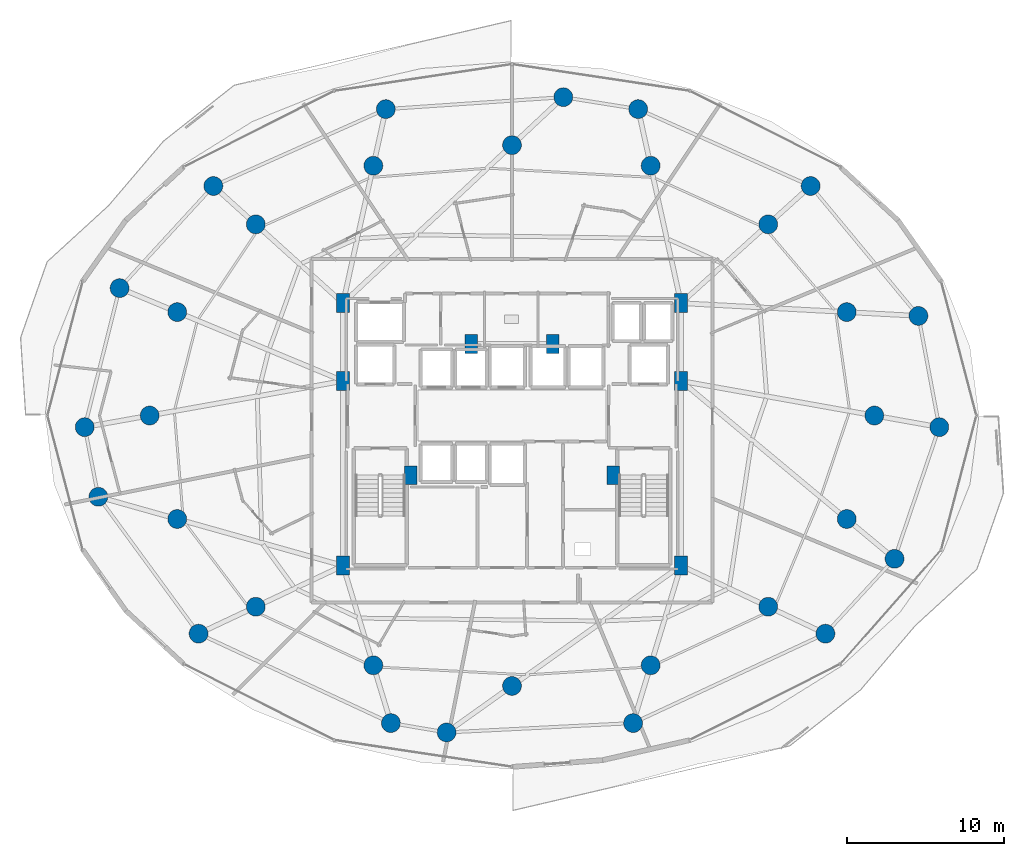
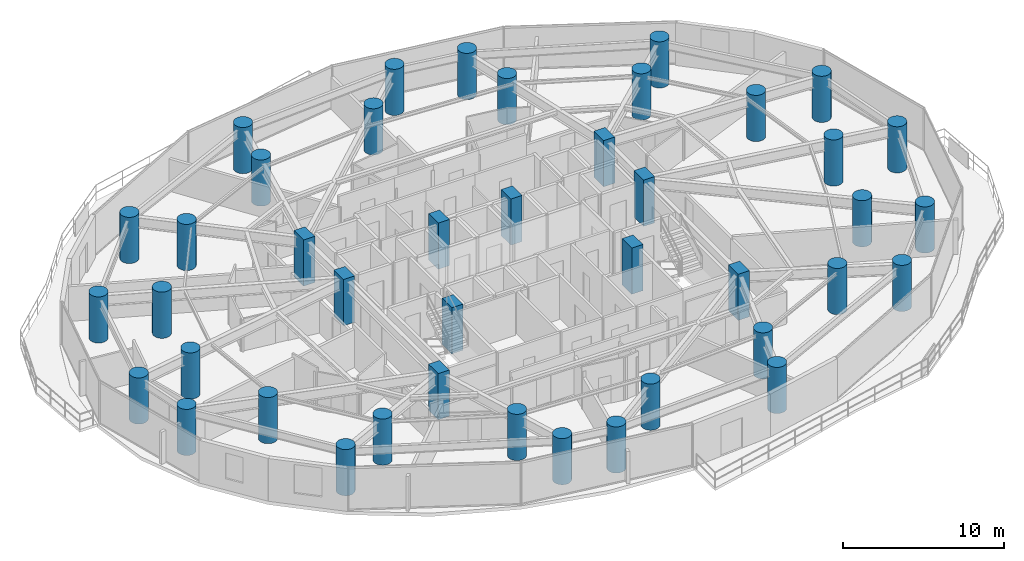
# One storey, part 1 of 35: 42 columns.
"""IFC4 building model written with IfcOpenShell, lengths in metres."""

import ifcopenshell
import ifcopenshell.guid

model = None  # the IFC model being written
_history = None  # IfcOwnerHistory: only IFC2X3 demands one
_inside = {}  # id of a spatial element -> (the spatial element, [elements in it])
_under = {}  # id of a project, library or spatial element -> (it, [spatial elements below it])
_declared = {}  # id of a project -> (the project, [libraries it declares])
_typed = {}  # id of a type object -> (the type object, [elements of that type])
_made_of = {}  # id of a material, layer set ... -> (it, [elements and type objects made of it])


def new_model(schema):
    """Start an empty IFC model of exactly this schema.

    Asked for "IFC4X3", IfcOpenShell would pick the latest addendum, in which some entities
    have other attributes; the version numbers below select the first issue.
    IFC2X3 requires an IfcOwnerHistory on every rooted entity: one is made here for all.
    """
    global model, _history
    if schema == "IFC4X3":
        model = ifcopenshell.file(schema_version=(4, 3, 0, 0))
    else:
        model = ifcopenshell.file(schema=schema)
    _inside.clear()
    _under.clear()
    _declared.clear()
    _typed.clear()
    _made_of.clear()
    _history = None
    if model.schema == "IFC2X3":
        org = make("IfcOrganization", Name="unknown")
        user = make(
            "IfcPersonAndOrganization",
            ThePerson=make("IfcPerson", FamilyName="unknown"),
            TheOrganization=org,
        )
        app = make(
            "IfcApplication",
            ApplicationDeveloper=org,
            Version="unknown",
            ApplicationFullName="unknown",
            ApplicationIdentifier="unknown",
        )
        _history = make(
            "IfcOwnerHistory",
            OwningUser=user,
            OwningApplication=app,
            ChangeAction="ADDED",
            CreationDate=0,
        )
    return model


def make(cls, **values):
    """One entity of the class cls with the attributes given. An attribute that is None is left unset."""
    return model.create_entity(
        cls, **{name: value for name, value in values.items() if value is not None}
    )


def rooted(cls, **values):
    """An entity with a GlobalId (a new one), such as an element, a storey or a relation."""
    return make(cls, GlobalId=ifcopenshell.guid.new(), OwnerHistory=_history, **values)


def si_unit(unit_type, name, prefix=None):
    """IfcSIUnit, for example si_unit("LENGTHUNIT", "METRE", prefix="MILLI")."""
    return make("IfcSIUnit", UnitType=unit_type, Prefix=prefix, Name=name)


def assignment(units):
    """IfcUnitAssignment: the units of a project."""
    return None if units is None else make("IfcUnitAssignment", Units=units)


def point(xyz):
    """IfcCartesianPoint."""
    return None if xyz is None else make("IfcCartesianPoint", Coordinates=xyz)


def direction(xyz):
    """IfcDirection."""
    return None if xyz is None else make("IfcDirection", DirectionRatios=xyz)


def frame(location, z_axis=None, x_axis=None):
    """IfcAxis2Placement3D, a coordinate frame: its origin and axes. An axis left out is left unset."""
    return make(
        "IfcAxis2Placement3D",
        Location=point(location),
        Axis=direction(z_axis),
        RefDirection=direction(x_axis),
    )


def frame_2d(location, x_axis=None):
    """IfcAxis2Placement2D, a coordinate frame in the plane: its origin and x axis."""
    return make(
        "IfcAxis2Placement2D", Location=point(location), RefDirection=direction(x_axis)
    )


def origin():
    """The frame at (0, 0, 0) with its axes left unset."""
    return frame((0.0, 0.0, 0.0))


def origin_2d():
    """The frame at (0, 0) in the plane with its x axis left unset."""
    return frame_2d((0.0, 0.0))


def place(relative_to, where):
    """IfcLocalPlacement: puts the frame where relative to a parent placement (None: the world)."""
    return make(
        "IfcLocalPlacement", PlacementRelTo=relative_to, RelativePlacement=where
    )


def context(
    kind, dimensions, precision=None, world=None, true_north=None, identifier=None
):
    """IfcGeometricRepresentationContext, for example the 3D "Model" context."""
    return make(
        "IfcGeometricRepresentationContext",
        ContextIdentifier=identifier,
        ContextType=kind,
        CoordinateSpaceDimension=dimensions,
        Precision=precision,
        WorldCoordinateSystem=world,
        TrueNorth=true_north,
    )


def subcontext(parent, identifier, kind, view, scale=None):
    """IfcGeometricRepresentationSubContext, for example "Body" below "Model"."""
    return make(
        "IfcGeometricRepresentationSubContext",
        ContextIdentifier=identifier,
        ContextType=kind,
        ParentContext=parent,
        TargetScale=scale,
        TargetView=view,
    )


def project(units=None, contexts=None):
    """IfcProject with its units and contexts."""
    return rooted(
        "IfcProject",
        Name="project",
        RepresentationContexts=contexts,
        UnitsInContext=assignment(units),
    )


def spatial(cls, under=None, at=None, **own):
    """A site, building, storey or space (cls), placed at a placement, below another one or the project."""
    s = rooted(cls, ObjectPlacement=at, **own)
    if under is not None:
        _under.setdefault(under.id(), (under, []))[1].append(s)
    return s


def profile(cls, at=None, kind="AREA", **sizes):
    """A parametric profile (cls). Its sizes go by their IFC names, for example OverallWidth=200.0."""
    return make(cls, ProfileType=kind, Position=at, **sizes)


def rectangle(**sizes):
    """IfcRectangleProfileDef."""
    return profile("IfcRectangleProfileDef", **sizes)


def circle(**sizes):
    """IfcCircleProfileDef."""
    return profile("IfcCircleProfileDef", **sizes)


def extrude(swept, where, along, depth):
    """IfcExtrudedAreaSolid: the profile swept, set in the frame where, extruded along a direction by depth."""
    return make(
        "IfcExtrudedAreaSolid",
        SweptArea=swept,
        Position=where,
        ExtrudedDirection=direction(along),
        Depth=depth,
    )


def shape(context_of_items, identifier, shape_type, items):
    """IfcShapeRepresentation: the items that make up one representation, for example the "Body"."""
    return make(
        "IfcShapeRepresentation",
        ContextOfItems=context_of_items,
        RepresentationIdentifier=identifier,
        RepresentationType=shape_type,
        Items=items,
    )


def material(Name=None, Category=None):
    """IfcMaterial."""
    return make("IfcMaterial", Name=Name, Category=Category)


def material_profile(
    of_material, cross_section, Name=None, Category=None, Priority=None
):
    """IfcMaterialProfile: a cross section and its material."""
    return make(
        "IfcMaterialProfile",
        Name=Name,
        Material=of_material,
        Profile=cross_section,
        Priority=Priority,
        Category=Category,
    )


def profile_set(profiles, Name=None, composite=None):
    """IfcMaterialProfileSet."""
    return make(
        "IfcMaterialProfileSet",
        Name=Name,
        MaterialProfiles=profiles,
        CompositeProfile=composite,
    )


def made_of(thing, what):
    """Note that an element or type object is made of a material, layer set ...; save() writes the relation."""
    if what is not None:
        _made_of.setdefault(what.id(), (what, []))[1].append(thing)
    return thing


def type_object(cls, material=None, **own):
    """A type object (cls), such as IfcWallType, which elements share."""
    return made_of(rooted(cls, **own), material)


def element(
    cls,
    number,
    at=None,
    inside=None,
    cuts=None,
    type_object=None,
    material=None,
    context=None,
    identifier="Body",
    shape_type=None,
    held_by="IfcProductDefinitionShape",
    body=None,
    shapes=None,
    **own,
):
    """One element of the class cls, such as IfcWall. Its Tag is "e" and its number.

    at: its placement. inside: the storey or other place that contains it. cuts: it is an
    opening in that element (IfcRelVoidsElement). A single representation is given by context,
    identifier, shape_type and body (its items); several are given by shapes. held_by: the class
    of the entity that holds the representations. save() writes the other relations.
    """
    e = rooted(cls, Tag="e%d" % number, ObjectPlacement=at, **own)
    if body is not None:
        shapes = [shape(context, identifier, shape_type, body)]
    if shapes is not None:
        e.Representation = make(held_by, Representations=shapes)
    if inside is not None:
        _inside.setdefault(inside.id(), (inside, []))[1].append(e)
    if cuts is not None:
        rooted(
            "IfcRelVoidsElement", RelatingBuildingElement=cuts, RelatedOpeningElement=e
        )
    if type_object is not None:
        _typed.setdefault(type_object.id(), (type_object, []))[1].append(e)
    return made_of(e, material)


def aggregate(whole, parts):
    """IfcRelAggregates: a whole, such as a stair, and the parts it consists of."""
    return rooted("IfcRelAggregates", RelatingObject=whole, RelatedObjects=parts)


def save(model, path):
    """Write the relations noted so far, then the file.

    IfcRelAggregates (storeys below a building ...), IfcRelContainedInSpatialStructure (elements
    in a storey), IfcRelDefinesByType, IfcRelAssociatesMaterial and IfcRelDeclares: one each for
    every whole, place, type object, material and project.
    """
    for whole, parts in _under.values():
        aggregate(whole, parts)
    for where, things in _inside.values():
        rooted(
            "IfcRelContainedInSpatialStructure",
            RelatedElements=things,
            RelatingStructure=where,
        )
    for kind, things in _typed.values():
        rooted("IfcRelDefinesByType", RelatedObjects=things, RelatingType=kind)
    for what, things in _made_of.values():
        rooted("IfcRelAssociatesMaterial", RelatedObjects=things, RelatingMaterial=what)
    for by, libraries in _declared.values():
        rooted("IfcRelDeclares", RelatingContext=by, RelatedDefinitions=libraries)
    model.write(path)


model = new_model("IFC4")

# Units and contexts
model_context = context("Model", 3, precision=1e-05, world=origin(), true_north=direction((0.0, 1.0)))
body_context = subcontext(model_context, "Body", "Model", "MODEL_VIEW")
ifc_project = project(units=[si_unit("LENGTHUNIT", "METRE"), si_unit("AREAUNIT", "SQUARE_METRE"), si_unit("VOLUMEUNIT", "CUBIC_METRE"), si_unit("PLANEANGLEUNIT", "RADIAN"), si_unit("MASSUNIT", "GRAM", prefix="KILO")], contexts=[model_context])

# Site, building, storey
site_placement = place(None, origin())
site = spatial("IfcSite", under=ifc_project, at=site_placement, CompositionType="ELEMENT")
building_placement = place(site_placement, origin())
building = spatial("IfcBuilding", under=site, at=building_placement, Name="Vorneva Point Tower", CompositionType="ELEMENT")
storey_placement = place(building_placement, frame((0.0, 0.0, 48.5)))
storey = spatial("IfcBuildingStorey", under=building, at=storey_placement, Name="L12", CompositionType="ELEMENT", Elevation=48.5)

# Columns
ifc_material = material(Name="Concrete B60 (C50/60)", Category="concrete")
ifc_material_profile_1 = material_profile(ifc_material, circle(Radius=0.60009765625, at=origin_2d()), Name="RC-CIRC 1200")
ifc_profile_set_1 = profile_set([ifc_material_profile_1], Name="Concrete B60 (C50/60)")
column_type_1 = type_object("IfcColumnType", Name="COL-RC1200C", PredefinedType="COLUMN", material=ifc_profile_set_1)
for number, where, z_axis, x_axis, name in (
    (1, (61.050048828125, 26.0, 0.0), (0.0, 0.0, 1.0), (1.0, 0.0, 0.0), "L12 Perimeter Column P01"),
    (2, (59.29541015625, 32.582275390625, 0.0), (0.0, 0.0, 1.0), (0.923879532511, 0.382683432365, 0.0), "L12 Perimeter Column P02"),
    (3, (54.298828125, 38.162109375, 0.0), (0.0, 0.0, 1.0), (0.707106781187, 0.707106781187, 0.0), "L12 Perimeter Column P03"),
    (4, (46.82080078125, 41.890625, 0.0), (0.0, 0.0, 1.0), (0.382683432365, 0.923879532511, 0.0), "L12 Perimeter Column P04"),
    (5, (38.0, 43.199951171875, 0.0), (0.0, 0.0, 1.0), (0.0, 1.0, 0.0), "L12 Perimeter Column P05"),
    (6, (29.17919921875, 41.890625, 0.0), (0.0, 0.0, 1.0), (-0.382683432365, 0.923879532511, 0.0), "L12 Perimeter Column P06"),
    (7, (21.701171875, 38.162109375, 0.0), (0.0, 0.0, 1.0), (-0.707106781187, 0.707106781187, 0.0), "L12 Perimeter Column P07"),
    (8, (16.70458984375, 32.582275390625, 0.0), (0.0, 0.0, 1.0), (-0.923879532511, 0.382683432365, 0.0), "L12 Perimeter Column P08"),
    (9, (14.949951171875, 26.0, 0.0), (0.0, 0.0, 1.0), (-1.0, 0.0, 0.0), "L12 Perimeter Column P09"),
    (10, (16.70458984375, 19.417724609375, 0.0), (0.0, 0.0, 1.0), (-0.923879532511, -0.382683432365, 0.0), "L12 Perimeter Column P10"),
    (11, (21.701171875, 13.837890625, 0.0), (0.0, 0.0, 1.0), (-0.707106781187, -0.707106781187, 0.0), "L12 Perimeter Column P11"),
    (12, (29.17919921875, 10.109375, 0.0), (0.0, 0.0, 1.0), (-0.382683432365, -0.923879532511, 0.0), "L12 Perimeter Column P12"),
    (13, (38.0, 8.800048828125, 0.0), (0.0, 0.0, 1.0), (0.0, -1.0, 0.0), "L12 Perimeter Column P13"),
    (14, (46.82080078125, 10.109375, 0.0), (0.0, 0.0, 1.0), (0.382683432365, -0.923879532511, 0.0), "L12 Perimeter Column P14"),
    (15, (54.298828125, 13.837890625, 0.0), (0.0, 0.0, 1.0), (0.707106781187, -0.707106781187, 0.0), "L12 Perimeter Column P15"),
    (16, (59.29541015625, 19.417724609375, 0.0), (0.0, 0.0, 1.0), (0.923879532511, -0.382683432365, 0.0), "L12 Perimeter Column P16"),
    (17, (65.18212890625, 25.260986328125, 0.0), (0.0, 0.0, 1.0), (1.0, 0.0, 0.0), "L12 Outer Zone Column OP01"),
    (18, (63.8544921875, 32.336669921875, 0.0), (0.0, 0.0, 1.0), (0.923879532511, 0.382683432365, 0.0), "L12 Outer Zone Column OP02"),
    (19, (56.997314453125, 40.599853515625, 0.0), (0.0, 0.0, 1.0), (0.707106781187, 0.707106781187, 0.0), "L12 Outer Zone Column OP03"),
    (20, (46.026123046875, 45.49169921875, 0.0), (0.0, 0.0, 1.0), (0.382683432365, 0.923879532511, 0.0), "L12 Outer Zone Column OP04"),
    (21, (41.26513671875, 46.25244140625, 0.0), (0.0, 0.0, 1.0), (0.0, 1.0, 0.0), "L12 Outer Zone Column OP05"),
    (22, (29.973876953125, 45.49169921875, 0.0), (0.0, 0.0, 1.0), (-0.382683432365, 0.923879532511, 0.0), "L12 Outer Zone Column OP06"),
    (23, (19.002685546875, 40.599853515625, 0.0), (0.0, 0.0, 1.0), (-0.707106781187, 0.707106781187, 0.0), "L12 Outer Zone Column OP07"),
    (24, (13.0390625, 34.10546875, 0.0), (0.0, 0.0, 1.0), (-0.923879532511, 0.382683432365, 0.0), "L12 Outer Zone Column OP08"),
    (25, (10.81787109375, 25.260986328125, 0.0), (0.0, 0.0, 1.0), (-1.0, 0.0, 0.0), "L12 Outer Zone Column OP09"),
    (26, (11.68798828125, 20.82958984375, 0.0), (0.0, 0.0, 1.0), (-0.923879532511, -0.382683432365, 0.0), "L12 Outer Zone Column OP10"),
    (27, (18.061279296875, 12.124267578125, 0.0), (0.0, 0.0, 1.0), (-0.707106781187, -0.707106781187, 0.0), "L12 Outer Zone Column OP11"),
    (28, (30.296875, 6.435302734375, 0.0), (0.0, 0.0, 1.0), (-0.382683432365, -0.923879532511, 0.0), "L12 Outer Zone Column OP12"),
    (29, (33.84033203125, 5.83984375, 0.0), (0.0, 0.0, 1.0), (0.0, -1.0, 0.0), "L12 Outer Zone Column OP13"),
    (30, (45.703125, 6.435302734375, 0.0), (0.0, 0.0, 1.0), (0.382683432365, -0.923879532511, 0.0), "L12 Outer Zone Column OP14"),
    (31, (57.938720703125, 12.124267578125, 0.0), (0.0, 0.0, 1.0), (0.707106781187, -0.707106781187, 0.0), "L12 Outer Zone Column OP15"),
    (32, (62.3349609375, 16.886474609375, 0.0), (0.0, 0.0, 1.0), (0.923879532511, -0.382683432365, 0.0), "L12 Outer Zone Column OP16"),
):
    element("IfcColumn", number, at=place(storey_placement, frame(where, z_axis=z_axis, x_axis=x_axis)), inside=storey, type_object=column_type_1, Name=name, PredefinedType="COLUMN", context=body_context, shape_type="SweptSolid", body=[
        extrude(circle(Radius=0.60009765625, at=origin_2d()), origin(), (0.0, 0.0, 1.0), 3.5),
    ])
ifc_material_profile_2 = material_profile(ifc_material, rectangle(XDim=0.800048828125, YDim=1.199951171875, at=origin_2d()), Name="RC-PIL 1200x800")
ifc_profile_set_2 = profile_set([ifc_material_profile_2], Name="Concrete B60 (C50/60)")
column_type_2 = type_object("IfcColumnType", Name="PIL-RC1200x800", PredefinedType="PILASTER", material=ifc_profile_set_2)
for number, where, z_axis, x_axis, name in (
    (33, (27.25, 16.449951171875, 0.0), (0.0, 0.0, 1.0), (1.0, 0.0, 0.0), "L12 Core Pilaster CP1"),
    (34, (27.25, 28.199951171875, 0.0), (0.0, 0.0, 1.0), (1.0, 0.0, 0.0), "L12 Core Pilaster CP2"),
    (35, (27.25, 33.14990234375, 0.0), (0.0, 0.0, 1.0), (1.0, 0.0, 0.0), "L12 Core Pilaster CP3"),
    (36, (31.550048828125, 22.199951171875, 0.0), (0.0, 0.0, 1.0), (1.0, 0.0, 0.0), "L12 Core Pilaster CP4"),
    (37, (48.75, 33.14990234375, 0.0), (0.0, 0.0, 1.0), (1.0, 0.0, 0.0), "L12 Core Pilaster CP5"),
    (38, (48.75, 28.199951171875, 0.0), (0.0, 0.0, 1.0), (1.0, 0.0, 0.0), "L12 Core Pilaster CP6"),
    (39, (48.75, 16.449951171875, 0.0), (0.0, 0.0, 1.0), (1.0, 0.0, 0.0), "L12 Core Pilaster CP7"),
    (40, (44.449951171875, 22.199951171875, 0.0), (0.0, 0.0, 1.0), (1.0, 0.0, 0.0), "L12 Core Pilaster CP8"),
    (41, (35.39990234375, 30.550048828125, 0.0), (0.0, 0.0, 1.0), (1.0, 0.0, 0.0), "L12 Core Pilaster CP9"),
    (42, (40.60009765625, 30.550048828125, 0.0), (0.0, 0.0, 1.0), (1.0, 0.0, 0.0), "L12 Core Pilaster CP10"),
):
    element("IfcColumn", number, at=place(storey_placement, frame(where, z_axis=z_axis, x_axis=x_axis)), inside=storey, type_object=column_type_2, Name=name, PredefinedType="PILASTER", context=body_context, shape_type="SweptSolid", body=[
        extrude(rectangle(XDim=0.800048828125, YDim=1.199951171875, at=origin_2d()), origin(), (0.0, 0.0, 1.0), 3.5),
    ])

save(model, "model.ifc")
